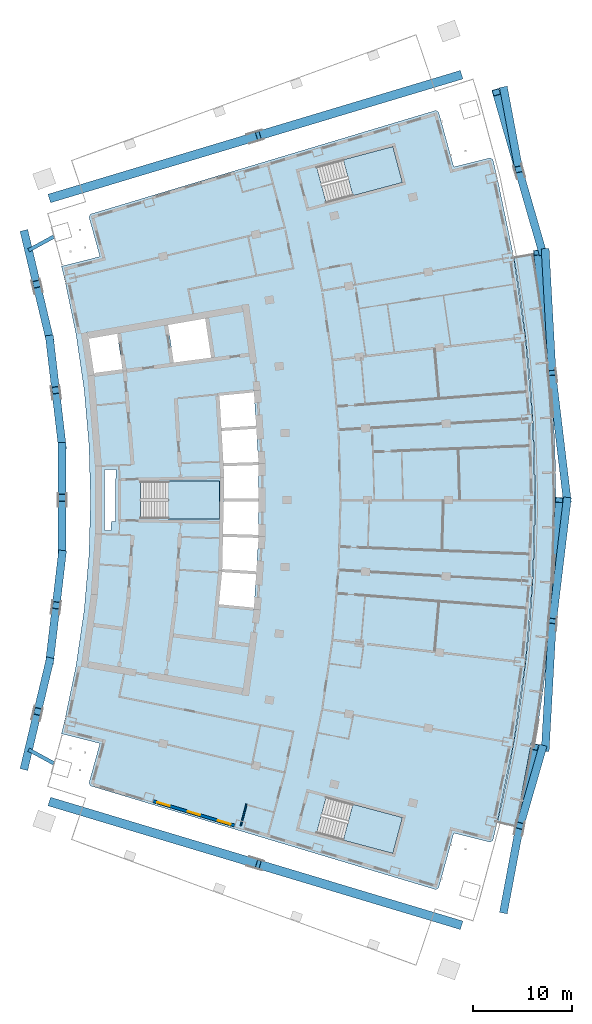
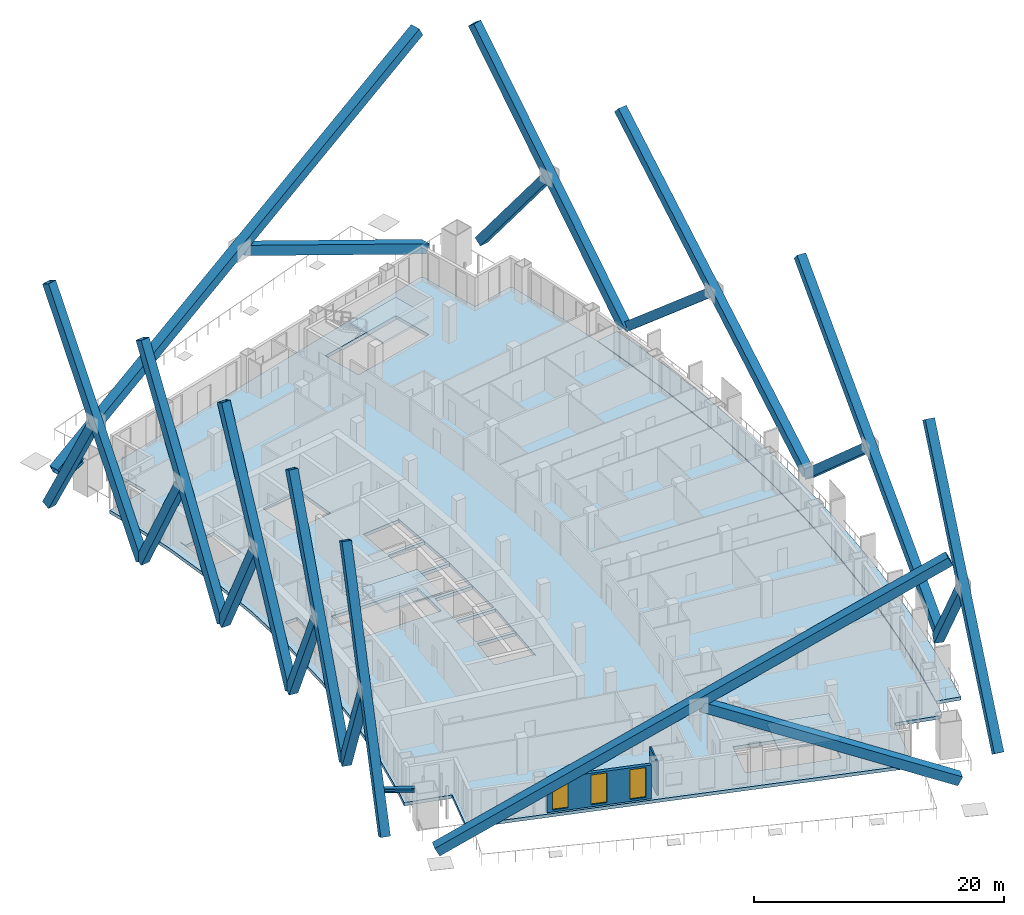
# One storey, part 9 of 20: 24 members, 5 slabs, 3 windows, 2 walls, 3 openings, 3 elements without a shape of their own.
"""IFC4 building model written with IfcOpenShell, lengths in metres."""

from ifc_helpers import new_model, si_unit, direction, frame, frame_2d, origin, origin_2d, place, context, subcontext, project, spatial, polyline, rectangle, hollow_rectangle, i_section, outline, extrude, material, layer, layer_set, material_profile, profile_set, type_object, element, fill, aggregate, save


model = new_model("IFC4")

# Units and contexts
model_context = context("Model", 3, precision=1e-05, world=origin(), true_north=direction((0.0, 1.0)))
body_context = subcontext(model_context, "Body", "Model", "MODEL_VIEW")
ifc_project = project(units=[si_unit("LENGTHUNIT", "METRE"), si_unit("AREAUNIT", "SQUARE_METRE"), si_unit("VOLUMEUNIT", "CUBIC_METRE"), si_unit("PLANEANGLEUNIT", "RADIAN"), si_unit("MASSUNIT", "GRAM", prefix="KILO")], contexts=[model_context])

# Site, building, storey
site_placement = place(None, origin())
site = spatial("IfcSite", under=ifc_project, at=site_placement, CompositionType="ELEMENT")
building_placement = place(site_placement, origin())
building = spatial("IfcBuilding", under=site, at=building_placement, Name="Alderwake Tower", CompositionType="ELEMENT")
storey_placement = place(building_placement, frame((0.0, 0.0, 138.800048828125)))
storey = spatial("IfcBuildingStorey", under=building, at=storey_placement, Name="L33", CompositionType="ELEMENT", Elevation=138.800048828125)

# Members
ifc_material_1 = material(Name="Steel ASTM A992 Grade 50", Category="steel")
ifc_material_profile_1 = material_profile(ifc_material_1, i_section(OverallWidth=0.3740234375, OverallDepth=0.372314453125, WebThickness=0.016357421875, FlangeThickness=0.026123046875, at=origin_2d()), Name="W14X132")
ifc_profile_set_1 = profile_set([ifc_material_profile_1], Name="Steel ASTM A992 Grade 50")
member_type_1 = type_object("IfcMemberType", Name="Brace node stub W14X132", PredefinedType="MEMBER", material=ifc_profile_set_1)
for number, where, z_axis, x_axis, name in (
    (1, (12.305908203125, 34.4482421875, 3.393798828125), (-0.878617607104, 0.477526020743, 0.0), (-0.477526020743, -0.878617607104, 0.0), "Brace node stub BS.RR02-C0.1424"),
    (2, (12.305908203125, 87.5517578125, 3.393798828125), (-0.878617607104, -0.477526020743, 0.0), (0.477526020743, -0.878617607104, 0.0), "Brace node stub BS.RR12-C0.1424"),
):
    element("IfcMember", number, at=place(storey_placement, frame(where, z_axis=z_axis, x_axis=x_axis)), inside=storey, type_object=member_type_1, Name=name, PredefinedType="MEMBER", context=body_context, shape_type="SweptSolid", body=[
        extrude(i_section(OverallWidth=0.3740234375, OverallDepth=0.372314453125, WebThickness=0.016357421875, FlangeThickness=0.026123046875, at=origin_2d()), origin(), (0.0, 0.0, 1.0), 2.903564453125),
    ])
ifc_material_2 = material(Name="Steel ASTM A572 Grade 50", Category="steel")
ifc_material_profile_2 = material_profile(ifc_material_2, hollow_rectangle(XDim=0.89990234375, YDim=0.89990234375, WallThickness=0.054931640625, at=origin_2d()), Name="BOX 900X900X55")
ifc_profile_set_2 = profile_set([ifc_material_profile_2], Name="Steel ASTM A572 Grade 50")
member_type_2 = type_object("IfcMemberType", Name="Mega brace end Z3", PredefinedType="BRACE", material=ifc_profile_set_2)
member_1_placement = place(storey_placement, frame((12.031005859375, 30.550537109375, 0.0), z_axis=(0.852575973378, -0.255965398212, 0.455626957649), x_axis=(0.287546383921, 0.957766713294, 0.0)))
element("IfcMember", 3, at=member_1_placement, inside=storey, type_object=member_type_2, Name="Brace BRS3.1.0A", PredefinedType="BRACE", context=body_context, shape_type="SweptSolid", body=[
    extrude(hollow_rectangle(XDim=0.89990234375, YDim=0.89990234375, WallThickness=0.054931640625, at=origin_2d()), origin(), (0.0, 0.0, 1.0), 47.406982421875),
])
member_2_placement = place(storey_placement, frame((53.215087890625, 18.185791015625, 0.0), z_axis=(-0.855853155528, 0.256951464392, 0.448877846546), x_axis=(-0.287548612747, -0.95776604414, 0.0)))
element("IfcMember", 4, at=member_2_placement, inside=storey, type_object=member_type_2, Name="Brace BRS3.1.0B1", PredefinedType="BRACE", context=body_context, shape_type="SweptSolid", body=[
    extrude(hollow_rectangle(XDim=0.89990234375, YDim=0.89990234375, WallThickness=0.054931640625, at=origin_2d()), origin(), (0.0, 0.0, 1.0), 23.72509765625),
])
member_3_placement = place(storey_placement, frame((12.031005859375, 91.449462890625, 0.0), z_axis=(0.852575973378, 0.255965398212, 0.455626957649), x_axis=(-0.287546383921, 0.957766713294, 0.0)))
element("IfcMember", 5, at=member_3_placement, inside=storey, type_object=member_type_2, Name="Brace BRN3.1.0A", PredefinedType="BRACE", context=body_context, shape_type="SweptSolid", body=[
    extrude(hollow_rectangle(XDim=0.89990234375, YDim=0.89990234375, WallThickness=0.054931640625, at=origin_2d()), origin(), (0.0, 0.0, 1.0), 47.406982421875),
])
member_4_placement = place(storey_placement, frame((53.215087890625, 103.814208984375, 0.0), z_axis=(-0.855853155528, -0.256951464392, 0.448877846546), x_axis=(0.287548612747, -0.95776604414, 0.0)))
element("IfcMember", 6, at=member_4_placement, inside=storey, type_object=member_type_2, Name="Brace BRN3.1.0B1", PredefinedType="BRACE", context=body_context, shape_type="SweptSolid", body=[
    extrude(hollow_rectangle(XDim=0.89990234375, YDim=0.89990234375, WallThickness=0.054931640625, at=origin_2d()), origin(), (0.0, 0.0, 1.0), 23.72509765625),
])
ifc_material_3 = material(Name="Steel ASTM A572 Grade 50", Category="steel")
ifc_material_profile_3 = material_profile(ifc_material_3, hollow_rectangle(XDim=0.800048828125, YDim=0.800048828125, WallThickness=0.050048828125, at=origin_2d()), Name="BOX 800X800X50")
ifc_profile_set_3 = profile_set([ifc_material_profile_3], Name="Steel ASTM A572 Grade 50")
member_type_3 = type_object("IfcMemberType", Name="Mega brace face Z3", PredefinedType="BRACE", material=ifc_profile_set_3)
member_5_placement = place(storey_placement, frame((57.6689453125, 19.667724609375, 0.0), z_axis=(0.11294385745, 0.601899618803, 0.790544454126), x_axis=(-0.982846244243, 0.184426842345, 0.0)))
element("IfcMember", 7, at=member_5_placement, inside=storey, type_object=member_type_3, Name="Brace BRF3.1.2A", PredefinedType="BRACE", context=body_context, shape_type="SweptSolid", body=[
    extrude(hollow_rectangle(XDim=0.800048828125, YDim=0.800048828125, WallThickness=0.050048828125, at=origin_2d()), origin(), (0.0, 0.0, 1.0), 27.32275390625),
])
member_6_placement = place(storey_placement, frame((61.544189453125, 35.973876953125, 0.0), z_axis=(-0.169924873732, -0.588358441533, 0.790544041508), x_axis=(0.960733922261, -0.277471314943, 0.0)))
element("IfcMember", 8, at=member_6_placement, inside=storey, type_object=member_type_3, Name="Brace BRF3.1.2B1", PredefinedType="BRACE", context=body_context, shape_type="SweptSolid", body=[
    extrude(hollow_rectangle(XDim=0.800048828125, YDim=0.800048828125, WallThickness=0.050048828125, at=origin_2d()), origin(), (0.0, 0.0, 1.0), 13.281494140625),
])
member_7_placement = place(storey_placement, frame((61.839111328125, 35.921630859375, 0.0), z_axis=(0.042162248111, 0.757026444364, 0.652022474588), x_axis=(-0.998452657308, 0.055608372703, 0.0)))
element("IfcMember", 9, at=member_7_placement, inside=storey, type_object=member_type_3, Name="Brace BRF3.1.4A", PredefinedType="BRACE", context=body_context, shape_type="SweptSolid", body=[
    extrude(hollow_rectangle(XDim=0.800048828125, YDim=0.800048828125, WallThickness=0.050048828125, at=origin_2d()), origin(), (0.0, 0.0, 1.0), 33.12744140625),
])
member_8_placement = place(storey_placement, frame((64.0390625, 61.0, 0.0), z_axis=(-0.090281199563, -0.752805383003, 0.6520225152), x_axis=(0.99288548678, -0.119073129389, 0.0)))
element("IfcMember", 10, at=member_8_placement, inside=storey, type_object=member_type_3, Name="Brace BRF3.1.4B1", PredefinedType="BRACE", context=body_context, shape_type="SweptSolid", body=[
    extrude(hollow_rectangle(XDim=0.800048828125, YDim=0.800048828125, WallThickness=0.050048828125, at=origin_2d()), origin(), (0.0, 0.0, 1.0), 16.20361328125),
])
member_9_placement = place(storey_placement, frame((64.0390625, 61.0, 0.0), z_axis=(-0.090286691378, 0.75280425687, 0.65202305496), x_axis=(-0.992884609355, -0.119080445522, 0.0)))
element("IfcMember", 11, at=member_9_placement, inside=storey, type_object=member_type_3, Name="Brace BRF3.1.7A", PredefinedType="BRACE", context=body_context, shape_type="SweptSolid", body=[
    extrude(hollow_rectangle(XDim=0.800048828125, YDim=0.800048828125, WallThickness=0.050048828125, at=origin_2d()), origin(), (0.0, 0.0, 1.0), 33.12744140625),
])
member_10_placement = place(storey_placement, frame((61.839111328125, 86.078369140625, 0.0), z_axis=(0.042157423963, -0.757025593131, 0.652023774834), x_axis=(0.998453007085, 0.055602092067, 0.0)))
element("IfcMember", 12, at=member_10_placement, inside=storey, type_object=member_type_3, Name="Brace BRF3.1.7B1", PredefinedType="BRACE", context=body_context, shape_type="SweptSolid", body=[
    extrude(hollow_rectangle(XDim=0.800048828125, YDim=0.800048828125, WallThickness=0.050048828125, at=origin_2d()), origin(), (0.0, 0.0, 1.0), 16.20361328125),
])
member_11_placement = place(storey_placement, frame((61.544189453125, 86.026123046875, 0.0), z_axis=(-0.169924643934, 0.588360840536, 0.790542305451), x_axis=(-0.960734323886, -0.277469924329, 0.0)))
element("IfcMember", 13, at=member_11_placement, inside=storey, type_object=member_type_3, Name="Brace BRF3.1.10A", PredefinedType="BRACE", context=body_context, shape_type="SweptSolid", body=[
    extrude(hollow_rectangle(XDim=0.800048828125, YDim=0.800048828125, WallThickness=0.050048828125, at=origin_2d()), origin(), (0.0, 0.0, 1.0), 27.32275390625),
])
member_12_placement = place(storey_placement, frame((57.6689453125, 102.332275390625, 0.0), z_axis=(0.11293975855, -0.601904208002, 0.790541545606), x_axis=(0.982847712306, 0.184419018581, 0.0)))
element("IfcMember", 14, at=member_12_placement, inside=storey, type_object=member_type_3, Name="Brace BRF3.1.10B1", PredefinedType="BRACE", context=body_context, shape_type="SweptSolid", body=[
    extrude(hollow_rectangle(XDim=0.800048828125, YDim=0.800048828125, WallThickness=0.050048828125, at=origin_2d()), origin(), (0.0, 0.0, 1.0), 13.281494140625),
])
member_13_placement = place(storey_placement, frame((9.359619140625, 34.171630859375, 0.0), z_axis=(0.104006952224, 0.437630728218, 0.893119196753), x_axis=(-0.972901726667, 0.23121900927, 0.0)))
element("IfcMember", 15, at=member_13_placement, inside=storey, type_object=member_type_3, Name="Brace BRR3.1.2A", PredefinedType="BRACE", context=body_context, shape_type="SweptSolid", body=[
    extrude(hollow_rectangle(XDim=0.800048828125, YDim=0.800048828125, WallThickness=0.050048828125, at=origin_2d()), origin(), (0.0, 0.0, 1.0), 24.184814453125),
])
member_14_placement = place(storey_placement, frame((11.875, 44.755615234375, 0.0), z_axis=(-0.104018967251, -0.437621000304, 0.893122564123), x_axis=(0.972894561236, -0.231249157223, 0.0)))
element("IfcMember", 16, at=member_14_placement, inside=storey, type_object=member_type_3, Name="Brace BRR3.1.2B1", PredefinedType="BRACE", context=body_context, shape_type="SweptSolid", body=[
    extrude(hollow_rectangle(XDim=0.800048828125, YDim=0.800048828125, WallThickness=0.050048828125, at=origin_2d()), origin(), (0.0, 0.0, 1.0), 11.59228515625),
])
member_15_placement = place(storey_placement, frame((11.875, 44.755615234375, 0.0), z_axis=(0.052361737433, 0.446765647495, 0.893117408111), x_axis=(-0.993201825706, 0.116405040331, 0.0)))
element("IfcMember", 17, at=member_15_placement, inside=storey, type_object=member_type_3, Name="Brace BRR3.1.4A", PredefinedType="BRACE", context=body_context, shape_type="SweptSolid", body=[
    extrude(hollow_rectangle(XDim=0.800048828125, YDim=0.800048828125, WallThickness=0.050048828125, at=origin_2d()), origin(), (0.0, 0.0, 1.0), 24.184814453125),
])
member_16_placement = place(storey_placement, frame((13.141357421875, 55.560546875, 0.0), z_axis=(-0.052377860897, -0.44675977612, 0.893119399705), x_axis=(0.993197504065, -0.116441907915, 0.0)))
element("IfcMember", 18, at=member_16_placement, inside=storey, type_object=member_type_3, Name="Brace BRR3.1.4B1", PredefinedType="BRACE", context=body_context, shape_type="SweptSolid", body=[
    extrude(hollow_rectangle(XDim=0.800048828125, YDim=0.800048828125, WallThickness=0.050048828125, at=origin_2d()), origin(), (0.0, 0.0, 1.0), 11.59228515625),
])
member_17_placement = place(storey_placement, frame((13.141357421875, 55.560546875, 0.0), z_axis=(0.0, 0.449824221612, 0.893117108587), x_axis=(-1.0, 0.0, 0.0)))
element("IfcMember", 19, at=member_17_placement, inside=storey, type_object=member_type_3, Name="Brace BRR3.1.6A", PredefinedType="BRACE", context=body_context, shape_type="SweptSolid", body=[
    extrude(hollow_rectangle(XDim=0.800048828125, YDim=0.800048828125, WallThickness=0.050048828125, at=origin_2d()), origin(), (0.0, 0.0, 1.0), 24.184814453125),
])
member_18_placement = place(storey_placement, frame((13.141357421875, 66.439453125, 0.0), z_axis=(0.0, -0.44983160539, 0.893113389661), x_axis=(1.0, 0.0, 0.0)))
element("IfcMember", 20, at=member_18_placement, inside=storey, type_object=member_type_3, Name="Brace BRR3.1.6B1", PredefinedType="BRACE", context=body_context, shape_type="SweptSolid", body=[
    extrude(hollow_rectangle(XDim=0.800048828125, YDim=0.800048828125, WallThickness=0.050048828125, at=origin_2d()), origin(), (0.0, 0.0, 1.0), 11.59228515625),
])
member_19_placement = place(storey_placement, frame((13.141357421875, 66.439453125, 0.0), z_axis=(-0.052361737433, 0.446765647495, 0.893117408111), x_axis=(-0.993201825706, -0.116405040331, 0.0)))
element("IfcMember", 21, at=member_19_placement, inside=storey, type_object=member_type_3, Name="Brace BRR3.1.8A", PredefinedType="BRACE", context=body_context, shape_type="SweptSolid", body=[
    extrude(hollow_rectangle(XDim=0.800048828125, YDim=0.800048828125, WallThickness=0.050048828125, at=origin_2d()), origin(), (0.0, 0.0, 1.0), 24.184814453125),
])
member_20_placement = place(storey_placement, frame((11.875, 77.244384765625, 0.0), z_axis=(0.052356365347, -0.446777125692, 0.893111981202), x_axis=(0.993203552049, 0.11639030972, 0.0)))
element("IfcMember", 22, at=member_20_placement, inside=storey, type_object=member_type_3, Name="Brace BRR3.1.8B1", PredefinedType="BRACE", context=body_context, shape_type="SweptSolid", body=[
    extrude(hollow_rectangle(XDim=0.800048828125, YDim=0.800048828125, WallThickness=0.050048828125, at=origin_2d()), origin(), (0.0, 0.0, 1.0), 11.59228515625),
])
member_21_placement = place(storey_placement, frame((11.875, 77.244384765625, 0.0), z_axis=(-0.104006952224, 0.437630728218, 0.893119196753), x_axis=(-0.972901726667, -0.23121900927, 0.0)))
element("IfcMember", 23, at=member_21_placement, inside=storey, type_object=member_type_3, Name="Brace BRR3.1.10A", PredefinedType="BRACE", context=body_context, shape_type="SweptSolid", body=[
    extrude(hollow_rectangle(XDim=0.800048828125, YDim=0.800048828125, WallThickness=0.050048828125, at=origin_2d()), origin(), (0.0, 0.0, 1.0), 24.184814453125),
])
member_22_placement = place(storey_placement, frame((9.359619140625, 87.828369140625, 0.0), z_axis=(0.103997175799, -0.437638986046, 0.893116288799), x_axis=(0.972907596897, 0.231194307674, 0.0)))
element("IfcMember", 24, at=member_22_placement, inside=storey, type_object=member_type_3, Name="Brace BRR3.1.10B1", PredefinedType="BRACE", context=body_context, shape_type="SweptSolid", body=[
    extrude(hollow_rectangle(XDim=0.800048828125, YDim=0.800048828125, WallThickness=0.050048828125, at=origin_2d()), origin(), (0.0, 0.0, 1.0), 11.59228515625),
])

# Slabs
ifc_material_4 = material(Name="Concrete C50/60", Category="concrete")
ifc_layer_1 = layer(ifc_material_4, 0.320068359375)
ifc_layer_set_1 = layer_set([ifc_layer_1], Name="Balcony slab 320")
slab_type_1 = type_object("IfcSlabType", Name="Balcony slab 320", PredefinedType="FLOOR", material=ifc_layer_set_1)
slab_1_placement = place(storey_placement, frame((0.0, 0.0, -0.320068359375)))
element("IfcSlab", 25, at=slab_1_placement, inside=storey, type_object=slab_type_1, Name="Balcony BF03", PredefinedType="FLOOR", context=body_context, shape_type="SweptSolid", body=[
    extrude(outline(polyline([(59.49462890625, 29.9892578125), (59.931884765625, 32.02685546875), (60.339599609375, 34.070556640625), (60.71728515625, 36.119873046875), (61.065185546875, 38.174560546875), (61.383056640625, 40.234130859375), (61.6708984375, 42.298095703125), (61.9287109375, 44.3662109375), (62.156005859375, 46.4375), (62.353271484375, 48.51220703125), (62.520263671875, 50.58935546875), (62.656982421875, 52.6689453125), (62.76318359375, 54.75), (62.839111328125, 56.832763671875), (62.884765625, 58.916015625), (62.89990234375, 61.0), (62.884765625, 63.083984375), (62.839111328125, 65.167236328125), (62.76318359375, 67.25), (62.656982421875, 69.3310546875), (62.520263671875, 71.41064453125), (62.353271484375, 73.48779296875), (62.156005859375, 75.5625), (61.9287109375, 77.6337890625), (61.6708984375, 79.701904296875), (61.383056640625, 81.765869140625), (61.065185546875, 83.825439453125), (60.71728515625, 85.880126953125), (58.6494140625, 85.514404296875), (58.9921875, 83.489990234375), (59.305419921875, 81.460693359375), (59.589111328125, 79.427001953125), (59.843017578125, 77.389404296875), (60.06689453125, 75.348388671875), (60.26123046875, 73.30419921875), (60.42578125, 71.257568359375), (60.560546875, 69.208740234375), (60.665283203125, 67.157958984375), (60.739990234375, 65.106201171875), (60.784912109375, 63.05322265625), (60.800048828125, 61.0), (60.784912109375, 58.94677734375), (60.739990234375, 56.893798828125), (60.665283203125, 54.842041015625), (60.560546875, 52.791259765625), (60.42578125, 50.742431640625), (60.26123046875, 48.69580078125), (60.06689453125, 46.651611328125), (59.843017578125, 44.610595703125), (59.589111328125, 42.572998046875), (59.305419921875, 40.539306640625), (58.9921875, 38.510009765625), (58.6494140625, 36.485595703125), (58.27734375, 34.46630859375), (57.87548828125, 32.45263671875), (57.444580078125, 30.445068359375), (56.984619140625, 28.444091796875), (59.027587890625, 27.95849609375), (59.49462890625, 29.9892578125)])), origin(), (0.0, 0.0, 1.0), 0.320068359375),
])
ifc_material_5 = material(Name="Concrete C50/60", Category="concrete")
ifc_layer_2 = layer(ifc_material_5, 0.320068359375)
ifc_layer_set_2 = layer_set([ifc_layer_2], Name="Concrete C50/60 post-tensioned flat plate 320")
slab_type_2 = type_object("IfcSlabType", Name="Concrete C50/60 post-tensioned flat plate 320", PredefinedType="FLOOR", material=ifc_layer_set_2)
slab_2_placement = place(storey_placement, frame((0.0, 0.0, -0.320068359375)))
element("IfcSlab", 26, at=slab_2_placement, inside=storey, type_object=slab_type_2, Name="Floor slab L33", PredefinedType="FLOOR", context=body_context, shape_type="SweptSolid", body=[
    extrude(outline(polyline([(13.06494140625, 37.443115234375), (13.3984375, 38.802734375), (14.53369140625, 44.28564453125), (15.347412109375, 49.825439453125), (15.836669921875, 55.4033203125), (16.0, 61.0), (15.836669921875, 66.5966796875), (15.347412109375, 72.174560546875), (14.53369140625, 77.71435546875), (13.3984375, 83.197265625), (13.06494140625, 84.556884765625), (16.942626953125, 85.53857421875), (15.837890625, 89.533203125), (15.996826171875, 89.821044921875), (50.802001953125, 100.2705078125), (51.083740234375, 100.114990234375), (52.617431640625, 94.568603515625), (56.272216796875, 95.493896484375), (56.5498046875, 95.326904296875), (56.984619140625, 93.555908203125), (58.6494140625, 85.514404296875), (59.843017578125, 77.389404296875), (60.560546875, 69.208740234375), (60.800048828125, 61.0), (60.560546875, 52.791259765625), (59.843017578125, 44.610595703125), (58.6494140625, 36.485595703125), (56.984619140625, 28.444091796875), (56.5498046875, 26.673095703125), (56.272216796875, 26.506103515625), (52.617431640625, 27.431396484375), (51.083740234375, 21.885009765625), (50.802001953125, 21.7294921875), (15.996826171875, 32.178955078125), (15.837890625, 32.466796875), (16.942626953125, 36.46142578125), (13.06494140625, 37.443115234375)]), holes=[polyline([(29.25732421875, 53.7685546875), (28.939697265625, 50.49072265625), (32.447509765625, 50.147705078125), (32.432861328125, 49.998291015625), (32.462646484375, 49.995361328125), (32.701416015625, 53.660888671875), (32.940185546875, 57.32666015625), (32.940185546875, 61.0), (32.940185546875, 64.67333984375), (32.701416015625, 68.339111328125), (32.462646484375, 72.004638671875), (32.432861328125, 72.001708984375), (32.447509765625, 71.852294921875), (28.886962890625, 71.50390625), (28.88720703125, 71.50048828125), (28.99462890625, 71.506591796875), (29.184814453125, 68.26025390625), (32.66162109375, 68.48681640625), (32.67138671875, 68.337158203125), (32.68115234375, 68.1875), (29.2021484375, 67.960693359375), (29.392578125, 64.7080078125), (32.9052734375, 64.822265625), (32.91015625, 64.67236328125), (32.9150390625, 64.5224609375), (29.41015625, 64.408447265625), (29.4765625, 63.27685546875), (29.429443359375, 61.14990234375), (32.91015625, 61.14990234375), (32.91015625, 61.0), (32.91015625, 60.85009765625), (29.4228515625, 60.85009765625), (29.350830078125, 57.593505859375), (32.9150390625, 57.4775390625), (32.91015625, 57.32763671875), (32.9052734375, 57.177734375), (29.34423828125, 57.29345703125), (29.2705078125, 53.9697265625), (29.274169921875, 53.969482421875), (29.2783203125, 54.0341796875), (32.68115234375, 53.8125), (32.67138671875, 53.662841796875), (32.66162109375, 53.51318359375), (29.2587890625, 53.73486328125), (29.260986328125, 53.768310546875), (29.25732421875, 53.7685546875)]), polyline([(21.050048828125, 62.875), (21.050048828125, 59.125), (29.0, 59.125), (29.0, 62.875), (21.050048828125, 62.875)]), polyline([(15.739013671875, 77.927490234375), (15.5361328125, 77.8916015625), (15.536865234375, 77.887939453125), (15.716796875, 77.91552734375), (16.379150390625, 73.605712890625), (16.4091796875, 73.609619140625), (16.38330078125, 73.80810546875), (19.224853515625, 74.1796875), (18.689697265625, 77.74365234375), (18.885986328125, 77.773193359375), (18.8837890625, 77.787109375), (15.854248046875, 77.261962890625), (15.739013671875, 77.927490234375)]), polyline([(27.555419921875, 79.29052734375), (23.811767578125, 78.6416015625), (24.384033203125, 74.8583984375), (24.373291015625, 74.856689453125), (24.373779296875, 74.85302734375), (28.152587890625, 75.347412109375), (27.555419921875, 79.29052734375)]), polyline([(47.436279296875, 28.996826171875), (39.754150390625, 31.043212890625), (38.7890625, 27.41943359375), (46.47119140625, 25.373291015625), (47.436279296875, 28.996826171875)]), polyline([(46.47119140625, 96.626708984375), (38.7890625, 94.58056640625), (39.754150390625, 90.956787109375), (47.436279296875, 93.003173828125), (46.47119140625, 96.626708984375)]), polyline([(17.389404296875, 64.047119140625), (17.389404296875, 57.952880859375), (18.065185546875, 57.928955078125), (18.090576171875, 58.84375), (18.544189453125, 58.831298828125), (18.529296875, 58.8681640625), (18.5234375, 58.891845703125), (18.5185546875, 58.940673828125), (18.5185546875, 63.060302734375), (18.5234375, 63.109130859375), (18.53759765625, 63.156005859375), (18.560791015625, 63.19921875), (18.588623046875, 63.2333984375), (18.56494140625, 64.088623046875), (17.389404296875, 64.047119140625)])]), origin(), (0.0, 0.0, 1.0), 0.320068359375),
])

# Stair, slab
ifc_material_6 = material(Name="Concrete C40/50", Category="concrete")
stair_type = type_object("IfcStairType", Name="Core exit stair", PredefinedType="HALF_TURN_STAIR", material=ifc_material_6)
stair_1_placement = place(storey_placement, origin())
stair_1 = element("IfcStair", 27, at=stair_1_placement, inside=storey, type_object=stair_type, Name="L33 Exit Stair B", PredefinedType="HALF_TURN_STAIR")
ifc_material_7 = material(Name="Concrete C40/50", Category="concrete")
ifc_layer_3 = layer(ifc_material_7, 0.199951171875)
ifc_layer_set_3 = layer_set([ifc_layer_3], Name="Core stair landing 200")
slab_type_3 = type_object("IfcSlabType", Name="Core stair landing 200", PredefinedType="LANDING", material=ifc_layer_set_3)
slab_3_placement = place(storey_placement, frame((0.0, 0.0, 1.599853515625)))
slab_3 = element("IfcSlab", 28, at=slab_3_placement, type_object=slab_type_3, Name="ST-B landing 1", PredefinedType="LANDING", context=body_context, shape_type="SweptSolid", body=[
    extrude(outline(polyline([(23.830078125, 59.074951171875), (29.0, 59.074951171875), (29.0, 62.925048828125), (23.830078125, 62.925048828125), (23.830078125, 59.074951171875)])), origin(), (0.0, 0.0, 1.0), 0.2001953125),
])
aggregate(stair_1, [slab_3])

stair_2_placement = place(storey_placement, origin())
stair_2 = element("IfcStair", 29, at=stair_2_placement, inside=storey, type_object=stair_type, Name="L33 Exit Stair A", PredefinedType="HALF_TURN_STAIR")
slab_4_placement = place(storey_placement, frame((0.0, 0.0, 1.599853515625)))
slab_4 = element("IfcSlab", 30, at=slab_4_placement, type_object=slab_type_3, Name="ST-A landing 1", PredefinedType="LANDING", context=body_context, shape_type="SweptSolid", body=[
    extrude(outline(polyline([(42.440673828125, 91.67236328125), (47.436279296875, 93.003173828125), (46.47119140625, 96.626708984375), (41.475341796875, 95.296142578125), (42.440673828125, 91.67236328125)])), origin(), (0.0, 0.0, 1.0), 0.2001953125),
])
aggregate(stair_2, [slab_4])

stair_3_placement = place(storey_placement, origin())
stair_3 = element("IfcStair", 31, at=stair_3_placement, inside=storey, type_object=stair_type, Name="L33 Exit Stair C", PredefinedType="HALF_TURN_STAIR")
slab_5_placement = place(storey_placement, frame((0.0, 0.0, 1.599853515625)))
slab_5 = element("IfcSlab", 32, at=slab_5_placement, type_object=slab_type_3, Name="ST-C landing 1", PredefinedType="LANDING", context=body_context, shape_type="SweptSolid", body=[
    extrude(outline(polyline([(41.475341796875, 26.703857421875), (46.47119140625, 25.373291015625), (47.436279296875, 28.996826171875), (42.4404296875, 30.32763671875), (41.475341796875, 26.703857421875)])), origin(), (0.0, 0.0, 1.0), 0.2001953125),
])
aggregate(stair_3, [slab_5])

# Wall, openings, windows
ifc_material_8 = material(Name="Bronze metal cladding on lightweight framing")
ifc_layer_4 = layer(ifc_material_8, 0.300048828125)
ifc_layer_set_4 = layer_set([ifc_layer_4], Name="External wall EW2 bronze metal cladding")
wall_type_1 = type_object("IfcWallType", Name="External wall EW2 bronze metal cladding", PredefinedType="SOLIDWALL", material=ifc_layer_set_4)
wall_1_placement = place(storey_placement, frame((22.294677734375, 30.653564453125, 0.0), z_axis=(0.0, 0.0, 1.0), x_axis=(0.957768419769, -0.287540699891, 0.0)))
wall_1 = element("IfcWall", 33, at=wall_1_placement, inside=storey, type_object=wall_type_1, Name="External wall 5", PredefinedType="SOLIDWALL", context=body_context, shape_type="SweptSolid", body=[
    extrude(rectangle(XDim=8.595947265625, YDim=0.300048828125, at=frame_2d((4.2978515625, 0.0))), origin(), (0.0, 0.0, 1.0), 3.280029296875),
])
opening_1_placement = place(wall_1_placement, frame((0.44775390625, 0.0, 0.199951171875)))
opening_1 = element("IfcOpeningElement", 34, at=opening_1_placement, cuts=wall_1, Name="Opening W1", PredefinedType="OPENING", context=body_context, shape_type="SweptSolid", body=[
    extrude(rectangle(XDim=1.300048828125, YDim=2.89990234375, at=frame_2d((0.64990234375, 1.449951171875))), frame((0.0, 0.159912109375, 0.0), z_axis=(0.0, -1.0, 0.0), x_axis=(1.0, 0.0, 0.0)), (0.0, 0.0, 1.0), 0.320068359375),
])
opening_2_placement = place(wall_1_placement, frame((3.647705078125, 0.0, 0.199951171875)))
opening_2 = element("IfcOpeningElement", 35, at=opening_2_placement, cuts=wall_1, Name="Opening W1", PredefinedType="OPENING", context=body_context, shape_type="SweptSolid", body=[
    extrude(rectangle(XDim=1.300048828125, YDim=2.89990234375, at=frame_2d((0.64990234375, 1.449951171875))), frame((0.0, 0.159912109375, 0.0), z_axis=(0.0, -1.0, 0.0), x_axis=(1.0, 0.0, 0.0)), (0.0, 0.0, 1.0), 0.320068359375),
])
opening_3_placement = place(wall_1_placement, frame((6.847900390625, 0.0, 0.199951171875)))
opening_3 = element("IfcOpeningElement", 36, at=opening_3_placement, cuts=wall_1, Name="Opening W1", PredefinedType="OPENING", context=body_context, shape_type="SweptSolid", body=[
    extrude(rectangle(XDim=1.300048828125, YDim=2.89990234375, at=frame_2d((0.64990234375, 1.449951171875))), frame((0.0, 0.159912109375, 0.0), z_axis=(0.0, -1.0, 0.0), x_axis=(1.0, 0.0, 0.0)), (0.0, 0.0, 1.0), 0.320068359375),
])
ifc_material_9 = material(Name="Bronze tinted glass in aluminium frame", Category="aluminium")
window_type = type_object("IfcWindowType", Name="Window W1 tall fixed and vent", PartitioningType="DOUBLE_PANEL_VERTICAL", PredefinedType="WINDOW", material=ifc_material_9)
window_1_placement = place(opening_1_placement, origin())
window_1 = element("IfcWindow", 37, at=window_1_placement, inside=storey, type_object=window_type, Name="Window W1 tall fixed and vent", OverallHeight=2.89990234375, OverallWidth=1.300048828125, PartitioningType="DOUBLE_PANEL_VERTICAL", PredefinedType="WINDOW", context=body_context, shape_type="SweptSolid", body=[
    extrude(rectangle(XDim=1.300048828125, YDim=2.89990234375, at=frame_2d((0.64990234375, 1.449951171875))), frame((0.0, 0.030029296875, 0.0), z_axis=(0.0, -1.0, 0.0), x_axis=(1.0, 0.0, 0.0)), (0.0, 0.0, 1.0), 0.06005859375),
])
fill(opening_1, window_1)
window_2_placement = place(opening_2_placement, origin())
window_2 = element("IfcWindow", 38, at=window_2_placement, inside=storey, type_object=window_type, Name="Window W1 tall fixed and vent", OverallHeight=2.89990234375, OverallWidth=1.300048828125, PartitioningType="DOUBLE_PANEL_VERTICAL", PredefinedType="WINDOW", context=body_context, shape_type="SweptSolid", body=[
    extrude(rectangle(XDim=1.300048828125, YDim=2.89990234375, at=frame_2d((0.64990234375, 1.449951171875))), frame((0.0, 0.030029296875, 0.0), z_axis=(0.0, -1.0, 0.0), x_axis=(1.0, 0.0, 0.0)), (0.0, 0.0, 1.0), 0.06005859375),
])
fill(opening_2, window_2)
window_3_placement = place(opening_3_placement, origin())
window_3 = element("IfcWindow", 39, at=window_3_placement, inside=storey, type_object=window_type, Name="Window W1 tall fixed and vent", OverallHeight=2.89990234375, OverallWidth=1.300048828125, PartitioningType="DOUBLE_PANEL_VERTICAL", PredefinedType="WINDOW", context=body_context, shape_type="SweptSolid", body=[
    extrude(rectangle(XDim=1.300048828125, YDim=2.89990234375, at=frame_2d((0.64990234375, 1.449951171875))), frame((0.0, 0.030029296875, 0.0), z_axis=(0.0, -1.0, 0.0), x_axis=(1.0, 0.0, 0.0)), (0.0, 0.0, 1.0), 0.06005859375),
])
fill(opening_3, window_3)

# Wall
ifc_material_10 = material(Name="Moisture resistant gypsum board on metal studs")
ifc_layer_5 = layer(ifc_material_10, 0.1201171875)
ifc_layer_set_5 = layer_set([ifc_layer_5], Name="Wet room partition 120")
wall_type_2 = type_object("IfcWallType", Name="Wet room partition 120", PredefinedType="PARTITIONING", material=ifc_layer_set_5)
wall_2_placement = place(storey_placement, frame((31.72265625, 30.343017578125, 0.0), z_axis=(0.0, 0.0, 1.0), x_axis=(-0.259787988076, -0.965665677785, 0.0)))
element("IfcWall", 40, at=wall_2_placement, inside=storey, type_object=wall_type_2, Name="WL/L33/W32", PredefinedType="PARTITIONING", context=body_context, shape_type="SweptSolid", body=[
    extrude(rectangle(XDim=2.265869140625, YDim=0.1201171875, at=frame_2d((1.1328125, 0.0))), origin(), (0.0, 0.0, 1.0), 3.280029296875),
])

save(model, "model.ifc")
